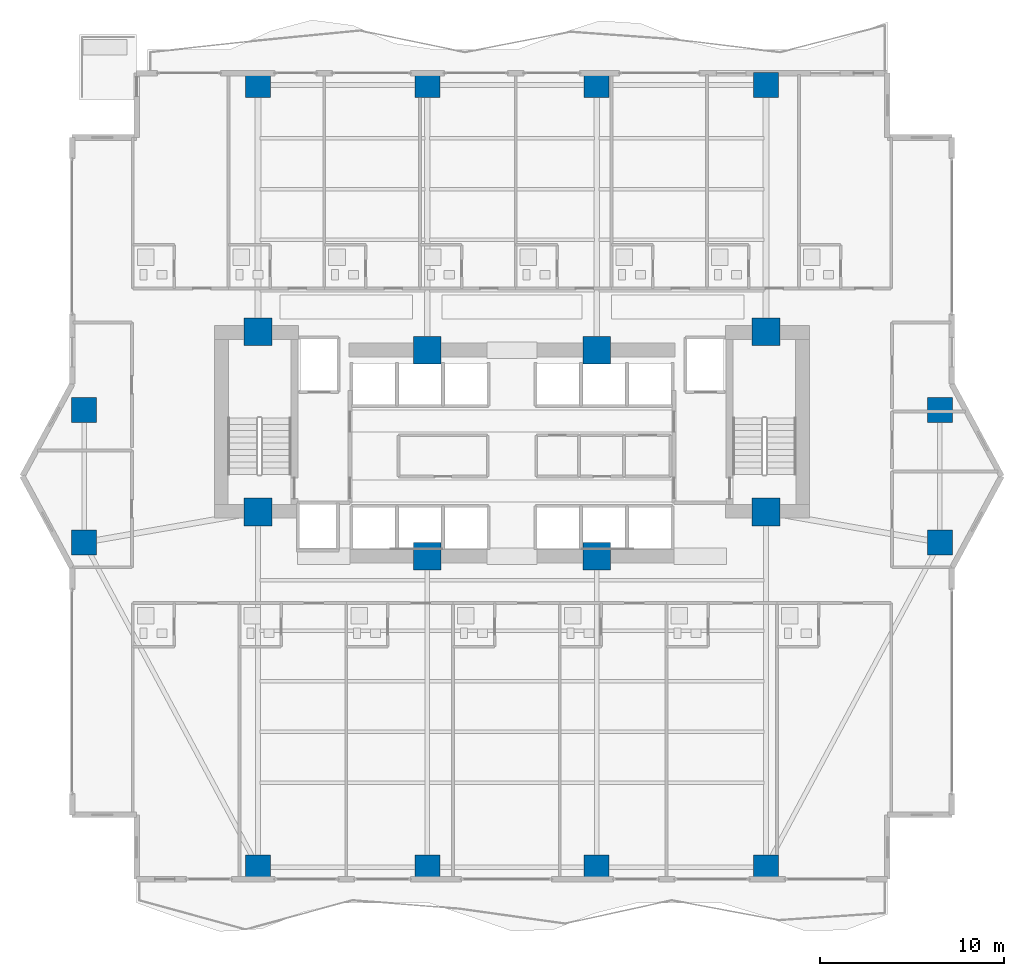
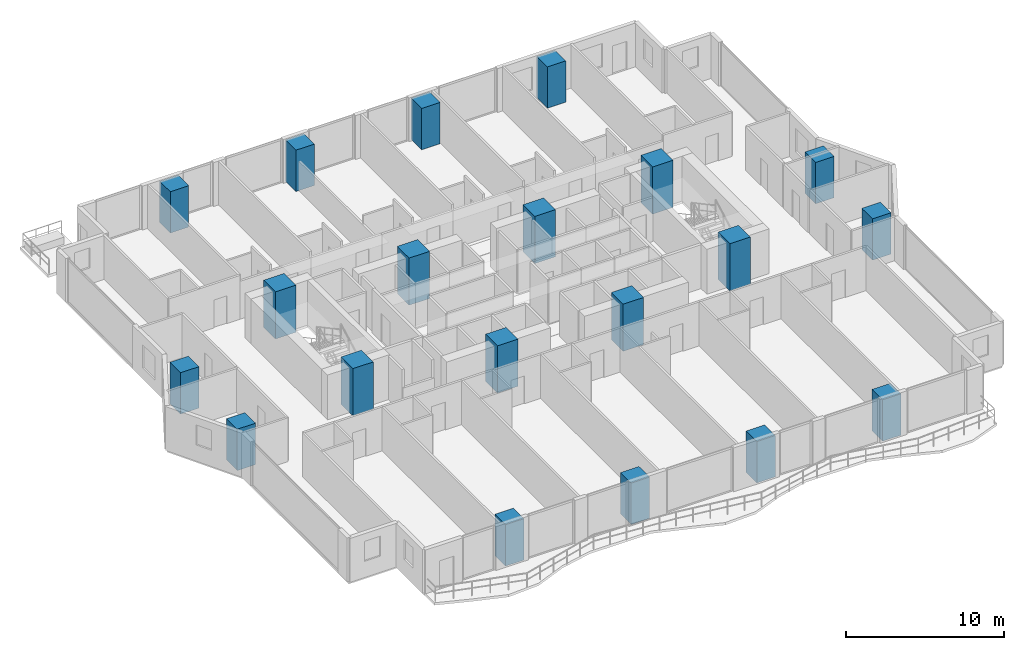
# One storey, part 1 of 29: 20 columns.
"""IFC4 building model written with IfcOpenShell, lengths in metres."""

from ifc_helpers import new_model, si_unit, direction, frame, origin, origin_2d, place, context, subcontext, project, spatial, rectangle, extrude, material, material_profile, profile_set, type_object, element, save


model = new_model("IFC4")

# Units and contexts
model_context = context("Model", 3, precision=1e-05, world=origin(), true_north=direction((0.0, 1.0)))
body_context = subcontext(model_context, "Body", "Model", "MODEL_VIEW")
ifc_project = project(units=[si_unit("LENGTHUNIT", "METRE"), si_unit("AREAUNIT", "SQUARE_METRE"), si_unit("VOLUMEUNIT", "CUBIC_METRE"), si_unit("PLANEANGLEUNIT", "RADIAN"), si_unit("MASSUNIT", "GRAM", prefix="KILO")], contexts=[model_context])

# Site, building, storey
site_placement = place(None, origin())
site = spatial("IfcSite", under=ifc_project, at=site_placement, CompositionType="ELEMENT")
building_placement = place(site_placement, origin())
building = spatial("IfcBuilding", under=site, at=building_placement, Name="Zuhayl Quay Hotel", CompositionType="ELEMENT")
storey_placement = place(building_placement, frame((0.0, 0.0, 158.550048828125)))
storey = spatial("IfcBuildingStorey", under=building, at=storey_placement, Name="L40", CompositionType="ELEMENT", Elevation=158.550048828125)

# Columns
ifc_material = material(Name="Concrete C70/85", Category="concrete")
ifc_material_profile_1 = material_profile(ifc_material, rectangle(XDim=1.5, YDim=1.5, at=origin_2d()), Name="RC1500X1500")
ifc_profile_set_1 = profile_set([ifc_material_profile_1], Name="Concrete C70/85")
column_type_1 = type_object("IfcColumnType", Name="CL_CC1_1500", PredefinedType="COLUMN", material=ifc_profile_set_1)
for number, where, z_axis, x_axis, name in (
    (1, (-13.800048828125, 14.35009765625, 0.0), (0.0, 0.0, 1.0), (1.0, 0.0, 0.0), "L40 Core Column CC_NW"),
    (2, (-4.60009765625, 13.35009765625, 0.0), (0.0, 0.0, 1.0), (1.0, 0.0, 0.0), "L40 Core Column CC_CNW"),
    (3, (4.60009765625, 13.35009765625, 0.0), (0.0, 0.0, 1.0), (1.0, 0.0, 0.0), "L40 Core Column CC_CNE"),
    (4, (13.800048828125, 14.35009765625, 0.0), (0.0, 0.0, 1.0), (1.0, 0.0, 0.0), "L40 Core Column CC_NE"),
    (5, (-13.800048828125, 4.550048828125, 0.0), (0.0, 0.0, 1.0), (1.0, 0.0, 0.0), "L40 Core Column CC_SW"),
    (6, (-4.60009765625, 2.14990234375, 0.0), (0.0, 0.0, 1.0), (1.0, 0.0, 0.0), "L40 Core Column CC_CSW"),
    (7, (4.60009765625, 2.14990234375, 0.0), (0.0, 0.0, 1.0), (1.0, 0.0, 0.0), "L40 Core Column CC_CSE"),
    (8, (13.800048828125, 4.550048828125, 0.0), (0.0, 0.0, 1.0), (1.0, 0.0, 0.0), "L40 Core Column CC_SE"),
):
    element("IfcColumn", number, at=place(storey_placement, frame(where, z_axis=z_axis, x_axis=x_axis)), inside=storey, type_object=column_type_1, Name=name, PredefinedType="COLUMN", context=body_context, shape_type="SweptSolid", body=[
        extrude(rectangle(XDim=1.5, YDim=1.5, at=origin_2d()), origin(), (0.0, 0.0, 1.0), 3.64990234375),
    ])
ifc_material_profile_2 = material_profile(ifc_material, rectangle(XDim=1.35009765625, YDim=1.35009765625, at=origin_2d()), Name="RC1350X1350")
ifc_profile_set_2 = profile_set([ifc_material_profile_2], Name="Concrete C70/85")
column_type_2 = type_object("IfcColumnType", Name="CL_MC2_1350", PredefinedType="COLUMN", material=ifc_profile_set_2)
for number, where, z_axis, x_axis, name in (
    (9, (-13.800048828125, -14.75, 0.0), (0.0, 0.0, 1.0), (1.0, 0.0, 0.0), "L40 Mega-Column MC_S1"),
    (10, (-4.60009765625, -14.75, 0.0), (0.0, 0.0, 1.0), (1.0, 0.0, 0.0), "L40 Mega-Column MC_S2"),
    (11, (4.60009765625, -14.75, 0.0), (0.0, 0.0, 1.0), (1.0, 0.0, 0.0), "L40 Mega-Column MC_S3"),
    (12, (13.800048828125, -14.75, 0.0), (0.0, 0.0, 1.0), (1.0, 0.0, 0.0), "L40 Mega-Column MC_S4"),
    (13, (-13.800048828125, 27.75, 0.0), (0.0, 0.0, 1.0), (1.0, 0.0, 0.0), "L40 Mega-Column MC_N1"),
    (14, (-4.60009765625, 27.75, 0.0), (0.0, 0.0, 1.0), (1.0, 0.0, 0.0), "L40 Mega-Column MC_N2"),
    (15, (4.60009765625, 27.75, 0.0), (0.0, 0.0, 1.0), (1.0, 0.0, 0.0), "L40 Mega-Column MC_N3"),
    (16, (13.800048828125, 27.75, 0.0), (0.0, 0.0, 1.0), (1.0, 0.0, 0.0), "L40 Mega-Column MC_N4"),
    (17, (-23.25, 2.89990234375, 0.0), (0.0, 0.0, 1.0), (1.0, 0.0, 0.0), "L40 Mega-Column MC_W1"),
    (18, (-23.25, 10.10009765625, 0.0), (0.0, 0.0, 1.0), (1.0, 0.0, 0.0), "L40 Mega-Column MC_W2"),
    (19, (23.25, 2.89990234375, 0.0), (0.0, 0.0, 1.0), (1.0, 0.0, 0.0), "L40 Mega-Column MC_E1"),
    (20, (23.25, 10.10009765625, 0.0), (0.0, 0.0, 1.0), (1.0, 0.0, 0.0), "L40 Mega-Column MC_E2"),
):
    element("IfcColumn", number, at=place(storey_placement, frame(where, z_axis=z_axis, x_axis=x_axis)), inside=storey, type_object=column_type_2, Name=name, PredefinedType="COLUMN", context=body_context, shape_type="SweptSolid", body=[
        extrude(rectangle(XDim=1.35009765625, YDim=1.35009765625, at=origin_2d()), origin(), (0.0, 0.0, 1.0), 3.199951171875),
    ])

save(model, "model.ifc")
